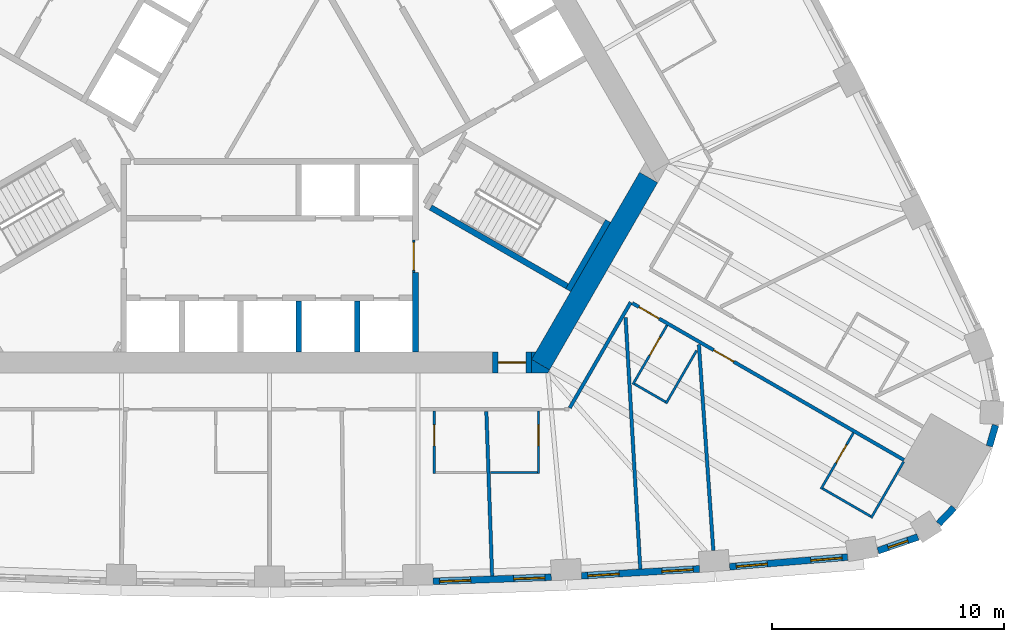
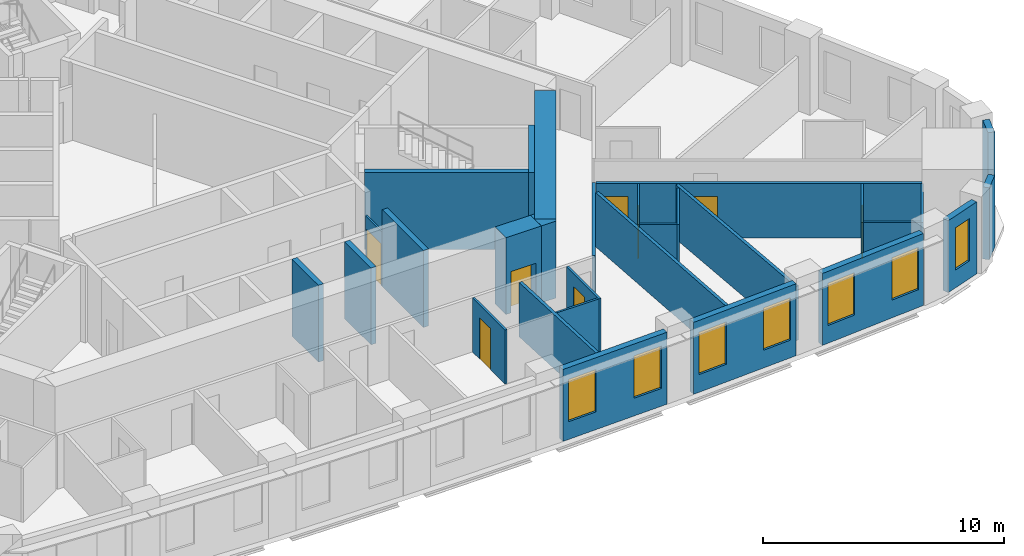
# One storey, part 7 of 13: 30 walls, 8 doors, 7 windows, 15 openings.
"""IFC4 building model written with IfcOpenShell, lengths in metres."""

from ifc_helpers import new_model, si_unit, direction, frame, frame_2d, origin, place, context, subcontext, project, spatial, polyline, rectangle, outline, extrude, material, layer, layer_set, type_object, element, fill, save


model = new_model("IFC4")

# Units and contexts
model_context = context("Model", 3, precision=1e-05, world=origin(), true_north=direction((0.0, 1.0)))
body_context = subcontext(model_context, "Body", "Model", "MODEL_VIEW")
ifc_project = project(units=[si_unit("LENGTHUNIT", "METRE"), si_unit("AREAUNIT", "SQUARE_METRE"), si_unit("VOLUMEUNIT", "CUBIC_METRE"), si_unit("PLANEANGLEUNIT", "RADIAN"), si_unit("MASSUNIT", "GRAM", prefix="KILO")], contexts=[model_context])

# Site, building, storey
site_placement = place(None, origin())
site = spatial("IfcSite", under=ifc_project, at=site_placement, CompositionType="ELEMENT")
building_placement = place(site_placement, origin())
building = spatial("IfcBuilding", under=site, at=building_placement, Name="Mestral Congress Tower", CompositionType="ELEMENT")
storey_placement = place(building_placement, frame((0.0, 0.0, 87.60009765625)))
storey = spatial("IfcBuildingStorey", under=building, at=storey_placement, Name="L20", CompositionType="ELEMENT", Elevation=87.60009765625)

# Wall, opening, door
ifc_material_1 = material(Name="Fire-rated board partition")
ifc_layer_1 = layer(ifc_material_1, 0.090087890625)
ifc_layer_set_1 = layer_set([ifc_layer_1], Name="Fire-rated board partition")
wall_type_1 = type_object("IfcWallType", Name="Core partition 150 door-wall 90", PredefinedType="PARTITIONING", material=ifc_layer_set_1)
wall_1_placement = place(storey_placement, frame((6.219970703125, -7.266357421875, 0.0), z_axis=(0.0, 0.0, 1.0), x_axis=(0.0, -1.0, 0.0)))
wall_1 = element("IfcWall", 1, at=wall_1_placement, inside=storey, type_object=wall_type_1, Name="L20 door wall", PredefinedType="PARTITIONING", context=body_context, shape_type="SweptSolid", body=[
    extrude(rectangle(XDim=1.400146484375, YDim=0.090087890625, at=frame_2d((0.7001953125, 0.0))), origin(), (0.0, 0.0, 1.0), 2.75),
])
opening_1_placement = place(wall_1_placement, frame((0.10009765625, 0.0, 0.0)))
opening_1 = element("IfcOpeningElement", 2, at=opening_1_placement, cuts=wall_1, Name="Opening LB0-WL1", PredefinedType="OPENING", context=body_context, shape_type="SweptSolid", body=[
    extrude(rectangle(XDim=1.199951171875, YDim=2.10009765625, at=frame_2d((0.60009765625, 1.050048828125))), frame((0.0, 0.054931640625, 0.0), z_axis=(0.0, -1.0, 0.0), x_axis=(1.0, 0.0, 0.0)), (0.0, 0.0, 1.0), 0.110107421875),
])
ifc_material_2 = material(Name="Fire-rated steel door set", Category="steel")
door_type_1 = type_object("IfcDoorType", Name="Core door LB 1200x2100", OperationType="SINGLE_SWING_LEFT", PredefinedType="DOOR", material=ifc_material_2)
door_1_placement = place(opening_1_placement, origin())
door_1 = element("IfcDoor", 3, at=door_1_placement, inside=storey, type_object=door_type_1, Name="Door LB0-WL1", OperationType="SINGLE_SWING_LEFT", OverallHeight=2.10009765625, OverallWidth=1.199951171875, PredefinedType="DOOR", context=body_context, shape_type="SweptSolid", body=[
    extrude(rectangle(XDim=1.199951171875, YDim=2.10009765625, at=frame_2d((0.60009765625, 1.050048828125))), frame((0.0, 0.02490234375, 0.0), z_axis=(0.0, -1.0, 0.0), x_axis=(1.0, 0.0, 0.0)), (0.0, 0.0, 1.0), 0.050048828125),
])
fill(opening_1, door_1)

# Walls
ifc_material_3 = material(Name="Concrete C60/75", Category="concrete")
ifc_layer_2 = layer(ifc_material_3, 0.89990234375)
ifc_layer_set_2 = layer_set([ifc_layer_2], Name="Concrete C60/75")
wall_type_2 = type_object("IfcWallType", Name="Core wall RC 900", PredefinedType="SOLIDWALL", material=ifc_layer_set_2)
wall_2_placement = place(storey_placement, frame((11.69482421875, -12.643798828125, 0.0), z_axis=(0.0, 0.0, 1.0), x_axis=(0.500010229568, 0.86601949766, 0.0)))
element("IfcWall", 4, at=wall_2_placement, inside=storey, type_object=wall_type_2, Name="L20 core wall", PredefinedType="SOLIDWALL", context=body_context, shape_type="SweptSolid", body=[
    extrude(rectangle(XDim=9.326416015625, YDim=0.89990234375, at=frame_2d((4.6630859375, 0.0))), origin(), (0.0, 0.0, 1.0), 3.89990234375),
])
placement = place(storey_placement, origin())
element("IfcWall", 5, at=placement, inside=storey, type_object=wall_type_2, Name="L20 core wall", PredefinedType="SOLIDWALL", context=body_context, shape_type="SweptSolid", body=[
    extrude(outline(polyline([(12.0087890625, -13.0), (11.31201171875, -13.0), (11.31201171875, -12.425048828125), (12.08349609375, -12.87060546875), (12.0087890625, -13.0)])), origin(), (0.0, 0.0, 1.0), 3.89990234375),
])
element("IfcWall", 6, at=placement, inside=storey, type_object=wall_type_2, Name="L20 core wall", PredefinedType="SOLIDWALL", context=body_context, shape_type="SweptSolid", body=[
    extrude(outline(polyline([(11.4892578125, -12.10009765625), (11.31201171875, -12.4072265625), (11.31201171875, -12.10009765625), (11.4892578125, -12.10009765625)])), origin(), (0.0, 0.0, 1.0), 3.89990234375),
])

# Wall, opening, door
wall_5_placement = place(storey_placement, frame((11.311767578125, -12.550048828125, 0.0), z_axis=(0.0, 0.0, 1.0), x_axis=(-1.0, 0.0, 0.0)))
wall_5 = element("IfcWall", 7, at=wall_5_placement, inside=storey, type_object=wall_type_2, Name="L20 door wall", PredefinedType="SOLIDWALL", context=body_context, shape_type="SweptSolid", body=[
    extrude(rectangle(XDim=1.699951171875, YDim=0.89990234375, at=frame_2d((0.85009765625, 0.0))), origin(), (0.0, 0.0, 1.0), 3.89990234375),
])
opening_2_placement = place(wall_5_placement, frame((0.25, 0.0, 0.0)))
opening_2 = element("IfcOpeningElement", 8, at=opening_2_placement, cuts=wall_5, Name="Opening XD1", PredefinedType="OPENING", context=body_context, shape_type="SweptSolid", body=[
    extrude(rectangle(XDim=1.199951171875, YDim=2.10009765625, at=frame_2d((0.60009765625, 1.050048828125))), frame((0.0, 0.4599609375, 0.0), z_axis=(0.0, -1.0, 0.0), x_axis=(1.0, 0.0, 0.0)), (0.0, 0.0, 1.0), 0.919921875),
])
door_type_2 = type_object("IfcDoorType", Name="Core door XD 1200x2100", OperationType="SINGLE_SWING_LEFT", PredefinedType="DOOR", material=ifc_material_2)
door_2_placement = place(opening_2_placement, origin())
door_2 = element("IfcDoor", 9, at=door_2_placement, inside=storey, type_object=door_type_2, Name="Door XD1", OperationType="SINGLE_SWING_LEFT", OverallHeight=2.10009765625, OverallWidth=1.199951171875, PredefinedType="DOOR", context=body_context, shape_type="SweptSolid", body=[
    extrude(rectangle(XDim=1.199951171875, YDim=2.10009765625, at=frame_2d((0.60009765625, 1.050048828125))), frame((0.0, 0.02490234375, 0.0), z_axis=(0.0, -1.0, 0.0), x_axis=(1.0, 0.0, 0.0)), (0.0, 0.0, 1.0), 0.050048828125),
])
fill(opening_2, door_2)

# Wall, openings, windows
ifc_material_4 = material(Name="Precast concrete C40/50 with limestone facing", Category="masonry")
ifc_layer_3 = layer(ifc_material_4, 0.2900390625)
ifc_layer_set_3 = layer_set([ifc_layer_3], Name="Precast concrete C40/50 with limestone facing")
wall_type_3 = type_object("IfcWallType", Name="Facade stone wall 290", PredefinedType="SOLIDWALL", material=ifc_layer_set_3)
wall_6_placement = place(storey_placement, frame((7.059326171875, -22.000732421875, 0.0), z_axis=(0.0, 0.0, 1.0), x_axis=(0.999385993957, 0.035037623812, 0.0)))
wall_6 = element("IfcWall", 10, at=wall_6_placement, inside=storey, type_object=wall_type_3, Name="Facade wall F0-05", PredefinedType="SOLIDWALL", context=body_context, shape_type="SweptSolid", body=[
    extrude(rectangle(XDim=5.1005859375, YDim=0.2900390625, at=frame_2d((2.55029296875, 0.0))), origin(), (0.0, 0.0, 1.0), 3.64990234375),
])
opening_3_placement = place(wall_6_placement, frame((0.272705078125, 0.0, 0.89990234375)))
opening_3 = element("IfcOpeningElement", 11, at=opening_3_placement, cuts=wall_6, Name="Opening W2", PredefinedType="OPENING", context=body_context, shape_type="SweptSolid", body=[
    extrude(rectangle(XDim=1.35009765625, YDim=2.14990234375, at=frame_2d((0.675048828125, 1.074951171875))), frame((0.0, 0.155029296875, 0.0), z_axis=(0.0, -1.0, 0.0), x_axis=(1.0, 0.0, 0.0)), (0.0, 0.0, 1.0), 0.31005859375),
])
opening_4_placement = place(wall_6_placement, frame((3.477783203125, 0.0, 0.89990234375)))
opening_4 = element("IfcOpeningElement", 12, at=opening_4_placement, cuts=wall_6, Name="Opening W2", PredefinedType="OPENING", context=body_context, shape_type="SweptSolid", body=[
    extrude(rectangle(XDim=1.35009765625, YDim=2.14990234375, at=frame_2d((0.675048828125, 1.074951171875))), frame((0.0, 0.155029296875, 0.0), z_axis=(0.0, -1.0, 0.0), x_axis=(1.0, 0.0, 0.0)), (0.0, 0.0, 1.0), 0.31005859375),
])
ifc_material_5 = material(Name="Clear low-emissivity double glazing", Category="glass")
window_type_1 = type_object("IfcWindowType", Name="Facade punched window 1350 x 2150 sill 900", PartitioningType="DOUBLE_PANEL_VERTICAL", PredefinedType="WINDOW", material=ifc_material_5)
window_1_placement = place(opening_3_placement, origin())
window_1 = element("IfcWindow", 13, at=window_1_placement, inside=storey, type_object=window_type_1, Name="Window F0-05a", OverallHeight=2.14990234375, OverallWidth=1.35009765625, PartitioningType="DOUBLE_PANEL_VERTICAL", PredefinedType="WINDOW", context=body_context, shape_type="SweptSolid", body=[
    extrude(rectangle(XDim=1.35009765625, YDim=2.14990234375, at=frame_2d((0.675048828125, 1.074951171875))), frame((0.0, 0.01513671875, 0.0), z_axis=(0.0, -1.0, 0.0), x_axis=(1.0, 0.0, 0.0)), (0.0, 0.0, 1.0), 0.06005859375),
])
fill(opening_3, window_1)
window_2_placement = place(opening_4_placement, origin())
window_2 = element("IfcWindow", 14, at=window_2_placement, inside=storey, type_object=window_type_1, Name="Window F0-05b", OverallHeight=2.14990234375, OverallWidth=1.35009765625, PartitioningType="DOUBLE_PANEL_VERTICAL", PredefinedType="WINDOW", context=body_context, shape_type="SweptSolid", body=[
    extrude(rectangle(XDim=1.35009765625, YDim=2.14990234375, at=frame_2d((0.675048828125, 1.074951171875))), frame((0.0, 0.01513671875, 0.0), z_axis=(0.0, -1.0, 0.0), x_axis=(1.0, 0.0, 0.0)), (0.0, 0.0, 1.0), 0.06005859375),
])
fill(opening_4, window_2)

wall_7_placement = place(storey_placement, frame((13.4619140625, -21.760986328125, 0.0), z_axis=(0.0, 0.0, 1.0), x_axis=(0.998290511436, 0.058447025388, 0.0)))
wall_7 = element("IfcWall", 15, at=wall_7_placement, inside=storey, type_object=wall_type_3, Name="Facade wall F0-06", PredefinedType="SOLIDWALL", context=body_context, shape_type="SweptSolid", body=[
    extrude(rectangle(XDim=5.100341796875, YDim=0.2900390625, at=frame_2d((2.55029296875, 0.0))), origin(), (0.0, 0.0, 1.0), 3.64990234375),
])
opening_5_placement = place(wall_7_placement, frame((0.2724609375, 0.0, 0.89990234375)))
opening_5 = element("IfcOpeningElement", 16, at=opening_5_placement, cuts=wall_7, Name="Opening W2", PredefinedType="OPENING", context=body_context, shape_type="SweptSolid", body=[
    extrude(rectangle(XDim=1.35009765625, YDim=2.14990234375, at=frame_2d((0.675048828125, 1.074951171875))), frame((0.0, 0.155029296875, 0.0), z_axis=(0.0, -1.0, 0.0), x_axis=(1.0, 0.0, 0.0)), (0.0, 0.0, 1.0), 0.31005859375),
])
opening_6_placement = place(wall_7_placement, frame((3.477783203125, 0.0, 0.89990234375)))
opening_6 = element("IfcOpeningElement", 17, at=opening_6_placement, cuts=wall_7, Name="Opening W2", PredefinedType="OPENING", context=body_context, shape_type="SweptSolid", body=[
    extrude(rectangle(XDim=1.35009765625, YDim=2.14990234375, at=frame_2d((0.675048828125, 1.074951171875))), frame((0.0, 0.155029296875, 0.0), z_axis=(0.0, -1.0, 0.0), x_axis=(1.0, 0.0, 0.0)), (0.0, 0.0, 1.0), 0.31005859375),
])
window_3_placement = place(opening_5_placement, origin())
window_3 = element("IfcWindow", 18, at=window_3_placement, inside=storey, type_object=window_type_1, Name="Window F0-06a", OverallHeight=2.14990234375, OverallWidth=1.35009765625, PartitioningType="DOUBLE_PANEL_VERTICAL", PredefinedType="WINDOW", context=body_context, shape_type="SweptSolid", body=[
    extrude(rectangle(XDim=1.35009765625, YDim=2.14990234375, at=frame_2d((0.675048828125, 1.074951171875))), frame((0.0, 0.01513671875, 0.0), z_axis=(0.0, -1.0, 0.0), x_axis=(1.0, 0.0, 0.0)), (0.0, 0.0, 1.0), 0.06005859375),
])
fill(opening_5, window_3)
window_4_placement = place(opening_6_placement, origin())
window_4 = element("IfcWindow", 19, at=window_4_placement, inside=storey, type_object=window_type_1, Name="Window F0-06b", OverallHeight=2.14990234375, OverallWidth=1.35009765625, PartitioningType="DOUBLE_PANEL_VERTICAL", PredefinedType="WINDOW", context=body_context, shape_type="SweptSolid", body=[
    extrude(rectangle(XDim=1.35009765625, YDim=2.14990234375, at=frame_2d((0.675048828125, 1.074951171875))), frame((0.0, 0.01513671875, 0.0), z_axis=(0.0, -1.0, 0.0), x_axis=(1.0, 0.0, 0.0)), (0.0, 0.0, 1.0), 0.06005859375),
])
fill(opening_6, window_4)

wall_8_placement = place(storey_placement, frame((19.856689453125, -21.37109375, 0.0), z_axis=(0.0, 0.0, 1.0), x_axis=(0.99665273362, 0.081751627308, 0.0)))
wall_8 = element("IfcWall", 20, at=wall_8_placement, inside=storey, type_object=wall_type_3, Name="Facade wall F0-07", PredefinedType="SOLIDWALL", context=body_context, shape_type="SweptSolid", body=[
    extrude(rectangle(XDim=5.106689453125, YDim=0.2900390625, at=frame_2d((2.55322265625, 0.0))), origin(), (0.0, 0.0, 1.0), 3.64990234375),
])
opening_7_placement = place(wall_8_placement, frame((0.285400390625, 0.0, 0.89990234375)))
opening_7 = element("IfcOpeningElement", 21, at=opening_7_placement, cuts=wall_8, Name="Opening W2", PredefinedType="OPENING", context=body_context, shape_type="SweptSolid", body=[
    extrude(rectangle(XDim=1.35009765625, YDim=2.14990234375, at=frame_2d((0.675048828125, 1.074951171875))), frame((0.0, 0.155029296875, 0.0), z_axis=(0.0, -1.0, 0.0), x_axis=(1.0, 0.0, 0.0)), (0.0, 0.0, 1.0), 0.31005859375),
])
opening_8_placement = place(wall_8_placement, frame((3.51611328125, 0.0, 0.89990234375)))
opening_8 = element("IfcOpeningElement", 22, at=opening_8_placement, cuts=wall_8, Name="Opening W2", PredefinedType="OPENING", context=body_context, shape_type="SweptSolid", body=[
    extrude(rectangle(XDim=1.35009765625, YDim=2.14990234375, at=frame_2d((0.675048828125, 1.074951171875))), frame((0.0, 0.155029296875, 0.0), z_axis=(0.0, -1.0, 0.0), x_axis=(1.0, 0.0, 0.0)), (0.0, 0.0, 1.0), 0.31005859375),
])
window_5_placement = place(opening_7_placement, origin())
window_5 = element("IfcWindow", 23, at=window_5_placement, inside=storey, type_object=window_type_1, Name="Window F0-07a", OverallHeight=2.14990234375, OverallWidth=1.35009765625, PartitioningType="DOUBLE_PANEL_VERTICAL", PredefinedType="WINDOW", context=body_context, shape_type="SweptSolid", body=[
    extrude(rectangle(XDim=1.35009765625, YDim=2.14990234375, at=frame_2d((0.675048828125, 1.074951171875))), frame((0.0, 0.01513671875, 0.0), z_axis=(0.0, -1.0, 0.0), x_axis=(1.0, 0.0, 0.0)), (0.0, 0.0, 1.0), 0.06005859375),
])
fill(opening_7, window_5)
window_6_placement = place(opening_8_placement, origin())
window_6 = element("IfcWindow", 24, at=window_6_placement, inside=storey, type_object=window_type_1, Name="Window F0-07b", OverallHeight=2.14990234375, OverallWidth=1.35009765625, PartitioningType="DOUBLE_PANEL_VERTICAL", PredefinedType="WINDOW", context=body_context, shape_type="SweptSolid", body=[
    extrude(rectangle(XDim=1.35009765625, YDim=2.14990234375, at=frame_2d((0.675048828125, 1.074951171875))), frame((0.0, 0.01513671875, 0.0), z_axis=(0.0, -1.0, 0.0), x_axis=(1.0, 0.0, 0.0)), (0.0, 0.0, 1.0), 0.06005859375),
])
fill(opening_8, window_6)

# Wall, opening, window
wall_9_placement = place(storey_placement, frame((26.260986328125, -20.67919921875, 0.0), z_axis=(0.0, 0.0, 1.0), x_axis=(0.945385815453, 0.325953462844, 0.0)))
wall_9 = element("IfcWall", 25, at=wall_9_placement, inside=storey, type_object=wall_type_3, Name="Facade wall K0-0", PredefinedType="SOLIDWALL", context=body_context, shape_type="SweptSolid", body=[
    extrude(rectangle(XDim=1.8193359375, YDim=0.2900390625, at=frame_2d((0.90966796875, 0.0))), origin(), (0.0, 0.0, 1.0), 3.64990234375),
])
opening_9_placement = place(wall_9_placement, frame((0.459716796875, 0.0, 0.89990234375)))
opening_9 = element("IfcOpeningElement", 26, at=opening_9_placement, cuts=wall_9, Name="Opening W3", PredefinedType="OPENING", context=body_context, shape_type="SweptSolid", body=[
    extrude(rectangle(XDim=0.89990234375, YDim=2.14990234375, at=frame_2d((0.449951171875, 1.074951171875))), frame((0.0, 0.155029296875, 0.0), z_axis=(0.0, -1.0, 0.0), x_axis=(1.0, 0.0, 0.0)), (0.0, 0.0, 1.0), 0.31005859375),
])
window_type_2 = type_object("IfcWindowType", Name="Facade punched window 900 x 2150 sill 900", PartitioningType="SINGLE_PANEL", PredefinedType="WINDOW", material=ifc_material_5)
window_7_placement = place(opening_9_placement, origin())
window_7 = element("IfcWindow", 27, at=window_7_placement, inside=storey, type_object=window_type_2, Name="Window K0-0", OverallHeight=2.14990234375, OverallWidth=0.89990234375, PartitioningType="SINGLE_PANEL", PredefinedType="WINDOW", context=body_context, shape_type="SweptSolid", body=[
    extrude(rectangle(XDim=0.89990234375, YDim=2.14990234375, at=frame_2d((0.449951171875, 1.074951171875))), frame((0.0, 0.01513671875, 0.0), z_axis=(0.0, -1.0, 0.0), x_axis=(1.0, 0.0, 0.0)), (0.0, 0.0, 1.0), 0.06005859375),
])
fill(opening_9, window_7)

# Walls
wall_10_placement = place(storey_placement, frame((28.88037109375, -19.50927734375, 0.0), z_axis=(0.0, 0.0, 1.0), x_axis=(0.690414427296, 0.723414071319, 0.0)))
element("IfcWall", 28, at=wall_10_placement, inside=storey, type_object=wall_type_3, Name="Facade wall K0-1", PredefinedType="SOLIDWALL", context=body_context, shape_type="SweptSolid", body=[
    extrude(rectangle(XDim=0.947021484375, YDim=0.2900390625, at=frame_2d((0.4736328125, 0.0))), origin(), (0.0, 0.0, 1.0), 3.64990234375),
])
wall_11_placement = place(storey_placement, frame((31.069091796875, -16.165283203125, 0.0), z_axis=(0.0, 0.0, 1.0), x_axis=(0.281454582132, 0.95957455062, 0.0)))
element("IfcWall", 29, at=wall_11_placement, inside=storey, type_object=wall_type_3, Name="Facade wall K0-2", PredefinedType="SOLIDWALL", context=body_context, shape_type="SweptSolid", body=[
    extrude(rectangle(XDim=0.947265625, YDim=0.2900390625, at=frame_2d((0.4736328125, 0.0))), origin(), (0.0, 0.0, 1.0), 3.64990234375),
])

# Wall, opening, door
ifc_material_6 = material(Name="Gypsum board partition on metal studs with mineral wool", Category="composite")
ifc_layer_4 = layer(ifc_material_6, 0.10009765625)
ifc_layer_set_4 = layer_set([ifc_layer_4], Name="Gypsum board partition on metal studs with mineral wool")
wall_type_4 = type_object("IfcWallType", Name="Hotel partition wall 100", PredefinedType="PARTITIONING", material=ifc_layer_set_4)
wall_12_placement = place(storey_placement, frame((7.100341796875, -14.64990234375, 0.0), z_axis=(0.0, 0.0, 1.0), x_axis=(0.0, -1.0, 0.0)))
wall_12 = element("IfcWall", 30, at=wall_12_placement, inside=storey, type_object=wall_type_4, Name="L20-h-pod06a", PredefinedType="PARTITIONING", context=body_context, shape_type="SweptSolid", body=[
    extrude(rectangle(XDim=2.7001953125, YDim=0.10009765625, at=frame_2d((1.35009765625, 0.0))), origin(), (0.0, 0.0, 1.0), 2.75),
])
opening_10_placement = place(wall_12_placement, frame((0.60009765625, 0.0, 0.0)))
opening_10 = element("IfcOpeningElement", 31, at=opening_10_placement, cuts=wall_12, Name="Opening H06-011", PredefinedType="OPENING", context=body_context, shape_type="SweptSolid", body=[
    extrude(rectangle(XDim=0.89990234375, YDim=2.10009765625, at=frame_2d((0.449951171875, 1.050048828125))), frame((0.0, 0.06005859375, 0.0), z_axis=(0.0, -1.0, 0.0), x_axis=(1.0, 0.0, 0.0)), (0.0, 0.0, 1.0), 0.1201171875),
])
ifc_material_7 = material(Name="Timber veneer door leaf in timber frame", Category="wood")
door_type_3 = type_object("IfcDoorType", Name="Bathroom door 900", OperationType="SINGLE_SWING_LEFT", PredefinedType="DOOR", material=ifc_material_7)
door_3_placement = place(opening_10_placement, origin())
door_3 = element("IfcDoor", 32, at=door_3_placement, inside=storey, type_object=door_type_3, Name="L20-h-d011", OperationType="SINGLE_SWING_RIGHT", OverallHeight=2.10009765625, OverallWidth=0.89990234375, PredefinedType="DOOR", context=body_context, shape_type="SweptSolid", body=[
    extrude(rectangle(XDim=0.89990234375, YDim=2.10009765625, at=frame_2d((0.449951171875, 1.050048828125))), frame((0.0, 0.02490234375, 0.0), z_axis=(0.0, -1.0, 0.0), x_axis=(1.0, 0.0, 0.0)), (0.0, 0.0, 1.0), 0.050048828125),
])
fill(opening_10, door_3)

wall_13_placement = place(storey_placement, frame((11.606689453125, -17.35009765625, 0.0), z_axis=(0.0, 0.0, 1.0), x_axis=(0.0, 1.0, 0.0)))
wall_13 = element("IfcWall", 33, at=wall_13_placement, inside=storey, type_object=wall_type_4, Name="L20-h-pod07a", PredefinedType="PARTITIONING", context=body_context, shape_type="SweptSolid", body=[
    extrude(rectangle(XDim=2.7001953125, YDim=0.10009765625, at=frame_2d((1.35009765625, 0.0))), origin(), (0.0, 0.0, 1.0), 2.75),
])
opening_11_placement = place(wall_13_placement, frame((1.199951171875, 0.0, 0.0)))
opening_11 = element("IfcOpeningElement", 34, at=opening_11_placement, cuts=wall_13, Name="Opening H06-013", PredefinedType="OPENING", context=body_context, shape_type="SweptSolid", body=[
    extrude(rectangle(XDim=0.89990234375, YDim=2.10009765625, at=frame_2d((0.449951171875, 1.050048828125))), frame((0.0, 0.06005859375, 0.0), z_axis=(0.0, -1.0, 0.0), x_axis=(1.0, 0.0, 0.0)), (0.0, 0.0, 1.0), 0.1201171875),
])
door_4_placement = place(opening_11_placement, origin())
door_4 = element("IfcDoor", 35, at=door_4_placement, inside=storey, type_object=door_type_3, Name="L20-h-d013", OperationType="SINGLE_SWING_LEFT", OverallHeight=2.10009765625, OverallWidth=0.89990234375, PredefinedType="DOOR", context=body_context, shape_type="SweptSolid", body=[
    extrude(rectangle(XDim=0.89990234375, YDim=2.10009765625, at=frame_2d((0.449951171875, 1.050048828125))), frame((0.0, 0.02490234375, 0.0), z_axis=(0.0, -1.0, 0.0), x_axis=(1.0, 0.0, 0.0)), (0.0, 0.0, 1.0), 0.050048828125),
])
fill(opening_11, door_4)

# Wall
wall_14_placement = place(storey_placement, frame((11.556640625, -17.300048828125, 0.0), z_axis=(0.0, 0.0, 1.0), x_axis=(-1.0, 0.0, 0.0)))
element("IfcWall", 36, at=wall_14_placement, inside=storey, type_object=wall_type_4, Name="L20-h-pod07b", PredefinedType="PARTITIONING", context=body_context, shape_type="SweptSolid", body=[
    extrude(rectangle(XDim=2.030029296875, YDim=0.10009765625, at=frame_2d((1.01513671875, 0.0))), origin(), (0.0, 0.0, 1.0), 2.75),
])

# Wall, opening, door
wall_15_placement = place(storey_placement, frame((17.155029296875, -10.943603515625, 0.0), z_axis=(0.0, 0.0, 1.0), x_axis=(-0.499939757307, -0.866060182126, 0.0)))
wall_15 = element("IfcWall", 37, at=wall_15_placement, inside=storey, type_object=wall_type_4, Name="L20-h-pod08a", PredefinedType="PARTITIONING", context=body_context, shape_type="SweptSolid", body=[
    extrude(rectangle(XDim=2.949951171875, YDim=0.10009765625, at=frame_2d((1.47509765625, 0.0))), origin(), (0.0, 0.0, 1.0), 2.75),
])
opening_12_placement = place(wall_15_placement, frame((0.60009765625, 0.0, 0.0)))
opening_12 = element("IfcOpeningElement", 38, at=opening_12_placement, cuts=wall_15, Name="Opening H06-015", PredefinedType="OPENING", context=body_context, shape_type="SweptSolid", body=[
    extrude(rectangle(XDim=0.89990234375, YDim=2.10009765625, at=frame_2d((0.449951171875, 1.050048828125))), frame((0.0, 0.06005859375, 0.0), z_axis=(0.0, -1.0, 0.0), x_axis=(1.0, 0.0, 0.0)), (0.0, 0.0, 1.0), 0.1201171875),
])
door_5_placement = place(opening_12_placement, origin())
door_5 = element("IfcDoor", 39, at=door_5_placement, inside=storey, type_object=door_type_3, Name="L20-h-d015", OperationType="SINGLE_SWING_LEFT", OverallHeight=2.10009765625, OverallWidth=0.89990234375, PredefinedType="DOOR", context=body_context, shape_type="SweptSolid", body=[
    extrude(rectangle(XDim=0.89990234375, YDim=2.10009765625, at=frame_2d((0.449951171875, 1.050048828125))), frame((0.0, 0.02490234375, 0.0), z_axis=(0.0, -1.0, 0.0), x_axis=(1.0, 0.0, 0.0)), (0.0, 0.0, 1.0), 0.050048828125),
])
fill(opening_12, door_5)

# Walls
wall_16_placement = place(storey_placement, frame((15.748291015625, -13.480224609375, 0.0), z_axis=(0.0, 0.0, 1.0), x_axis=(0.866083307622, -0.499899694197, 0.0)))
element("IfcWall", 40, at=wall_16_placement, inside=storey, type_object=wall_type_4, Name="L20-h-pod08b", PredefinedType="PARTITIONING", context=body_context, shape_type="SweptSolid", body=[
    extrude(rectangle(XDim=1.550048828125, YDim=0.10009765625, at=frame_2d((0.77490234375, 0.0))), origin(), (0.0, 0.0, 1.0), 2.75),
])
wall_17_placement = place(storey_placement, frame((18.428955078125, -12.037109375, 0.0), z_axis=(0.0, 0.0, 1.0), x_axis=(-0.500007957085, -0.86602080971, 0.0)))
element("IfcWall", 41, at=wall_17_placement, inside=storey, type_object=wall_type_4, Name="L20-h-pod08c", PredefinedType="PARTITIONING", context=body_context, shape_type="SweptSolid", body=[
    extrude(rectangle(XDim=2.64013671875, YDim=0.10009765625, at=frame_2d((1.320068359375, 0.0))), origin(), (0.0, 0.0, 1.0), 2.75),
])

# Wall, opening, door
wall_18_placement = place(storey_placement, frame((25.200439453125, -15.588623046875, 0.0), z_axis=(0.0, 0.0, 1.0), x_axis=(-0.500011755427, -0.866018616679, 0.0)))
wall_18 = element("IfcWall", 42, at=wall_18_placement, inside=storey, type_object=wall_type_4, Name="L20-h-pod09a", PredefinedType="PARTITIONING", context=body_context, shape_type="SweptSolid", body=[
    extrude(rectangle(XDim=2.80029296875, YDim=0.10009765625, at=frame_2d((1.400146484375, 0.0))), origin(), (0.0, 0.0, 1.0), 2.75),
])
opening_13_placement = place(wall_18_placement, frame((0.60009765625, 0.0, 0.0)))
opening_13 = element("IfcOpeningElement", 43, at=opening_13_placement, cuts=wall_18, Name="Opening H06-017", PredefinedType="OPENING", context=body_context, shape_type="SweptSolid", body=[
    extrude(rectangle(XDim=0.89990234375, YDim=2.10009765625, at=frame_2d((0.449951171875, 1.050048828125))), frame((0.0, 0.06005859375, 0.0), z_axis=(0.0, -1.0, 0.0), x_axis=(1.0, 0.0, 0.0)), (0.0, 0.0, 1.0), 0.1201171875),
])
door_6_placement = place(opening_13_placement, origin())
door_6 = element("IfcDoor", 44, at=door_6_placement, inside=storey, type_object=door_type_3, Name="L20-h-d017", OperationType="SINGLE_SWING_RIGHT", OverallHeight=2.10009765625, OverallWidth=0.89990234375, PredefinedType="DOOR", context=body_context, shape_type="SweptSolid", body=[
    extrude(rectangle(XDim=0.89990234375, YDim=2.10009765625, at=frame_2d((0.449951171875, 1.050048828125))), frame((0.0, 0.02490234375, 0.0), z_axis=(0.0, -1.0, 0.0), x_axis=(1.0, 0.0, 0.0)), (0.0, 0.0, 1.0), 0.050048828125),
])
fill(opening_13, door_6)

# Walls
wall_19_placement = place(storey_placement, frame((23.86865234375, -17.995361328125, 0.0), z_axis=(0.0, 0.0, 1.0), x_axis=(0.866050077142, -0.499957262057, 0.0)))
element("IfcWall", 45, at=wall_19_placement, inside=storey, type_object=wall_type_4, Name="L20-h-pod09b", PredefinedType="PARTITIONING", context=body_context, shape_type="SweptSolid", body=[
    extrude(rectangle(XDim=2.400146484375, YDim=0.10009765625, at=frame_2d((1.2001953125, 0.0))), origin(), (0.0, 0.0, 1.0), 2.75),
])
wall_20_placement = place(storey_placement, frame((27.365478515625, -16.838623046875, 0.0), z_axis=(0.0, 0.0, 1.0), x_axis=(-0.49994636267, -0.866056369097, 0.0)))
element("IfcWall", 46, at=wall_20_placement, inside=storey, type_object=wall_type_4, Name="L20-h-pod09c", PredefinedType="PARTITIONING", context=body_context, shape_type="SweptSolid", body=[
    extrude(rectangle(XDim=2.800048828125, YDim=0.10009765625, at=frame_2d((1.39990234375, 0.0))), origin(), (0.0, 0.0, 1.0), 2.75),
])
ifc_layer_5 = layer(ifc_material_6, 0.14990234375)
ifc_layer_set_5 = layer_set([ifc_layer_5], Name="Gypsum board partition on metal studs with mineral wool")
wall_type_5 = type_object("IfcWallType", Name="Hotel partition wall 150", PredefinedType="PARTITIONING", material=ifc_layer_set_5)
wall_21_placement = place(storey_placement, frame((15.58740234375, -9.951904296875, 0.0), z_axis=(0.0, 0.0, 1.0), x_axis=(-0.500016618951, -0.866015808616, 0.0)))
element("IfcWall", 47, at=wall_21_placement, inside=storey, type_object=wall_type_5, Name="L20-h-cw14", PredefinedType="PARTITIONING", context=body_context, shape_type="SweptSolid", body=[
    extrude(rectangle(XDim=5.268310546875, YDim=0.14990234375, at=frame_2d((2.63427734375, 0.0))), origin(), (0.0, 0.0, 1.0), 2.75),
])

# Wall, openings, doors
wall_22_placement = place(storey_placement, frame((27.3857421875, -16.763916015625, 0.0), z_axis=(0.0, 0.0, 1.0), x_axis=(-0.866022585856, 0.500004880763, 0.0)))
wall_22 = element("IfcWall", 48, at=wall_22_placement, inside=storey, type_object=wall_type_5, Name="L20-h-cw15", PredefinedType="PARTITIONING", context=body_context, shape_type="SweptSolid", body=[
    extrude(rectangle(XDim=13.543701171875, YDim=0.14990234375, at=frame_2d((6.77197265625, 0.0))), origin(), (0.0, 0.0, 1.0), 2.75),
])
opening_14_placement = place(wall_22_placement, frame((12.213623046875, 0.0, 0.0)))
opening_14 = element("IfcOpeningElement", 49, at=opening_14_placement, cuts=wall_22, Name="Opening H06-014", PredefinedType="OPENING", context=body_context, shape_type="SweptSolid", body=[
    extrude(rectangle(XDim=1.0, YDim=2.10009765625, at=frame_2d((0.5, 1.050048828125))), frame((0.0, 0.0849609375, 0.0), z_axis=(0.0, -1.0, 0.0), x_axis=(1.0, 0.0, 0.0)), (0.0, 0.0, 1.0), 0.169921875),
])
opening_15_placement = place(wall_22_placement, frame((8.48974609375, 0.0, 0.0)))
opening_15 = element("IfcOpeningElement", 50, at=opening_15_placement, cuts=wall_22, Name="Opening H06-016", PredefinedType="OPENING", context=body_context, shape_type="SweptSolid", body=[
    extrude(rectangle(XDim=1.0, YDim=2.10009765625, at=frame_2d((0.5, 1.050048828125))), frame((0.0, 0.0849609375, 0.0), z_axis=(0.0, -1.0, 0.0), x_axis=(1.0, 0.0, 0.0)), (0.0, 0.0, 1.0), 0.169921875),
])
ifc_material_8 = material(Name="Timber veneer door leaf in metal frame", Category="wood")
door_type_4 = type_object("IfcDoorType", Name="Guest room entrance door 1000", OperationType="SINGLE_SWING_LEFT", PredefinedType="DOOR", material=ifc_material_8)
door_7_placement = place(opening_14_placement, origin())
door_7 = element("IfcDoor", 51, at=door_7_placement, inside=storey, type_object=door_type_4, Name="L20-h-d014", OperationType="SINGLE_SWING_RIGHT", OverallHeight=2.10009765625, OverallWidth=1.0, PredefinedType="DOOR", context=body_context, shape_type="SweptSolid", body=[
    extrude(rectangle(XDim=1.0, YDim=2.10009765625, at=frame_2d((0.5, 1.050048828125))), frame((0.0, 0.02490234375, 0.0), z_axis=(0.0, -1.0, 0.0), x_axis=(1.0, 0.0, 0.0)), (0.0, 0.0, 1.0), 0.050048828125),
])
fill(opening_14, door_7)
door_8_placement = place(opening_15_placement, origin())
door_8 = element("IfcDoor", 52, at=door_8_placement, inside=storey, type_object=door_type_4, Name="L20-h-d016", OperationType="SINGLE_SWING_RIGHT", OverallHeight=2.10009765625, OverallWidth=1.0, PredefinedType="DOOR", context=body_context, shape_type="SweptSolid", body=[
    extrude(rectangle(XDim=1.0, YDim=2.10009765625, at=frame_2d((0.5, 1.050048828125))), frame((0.0, 0.02490234375, 0.0), z_axis=(0.0, -1.0, 0.0), x_axis=(1.0, 0.0, 0.0)), (0.0, 0.0, 1.0), 0.050048828125),
])
fill(opening_15, door_8)

# Walls
wall_23_placement = place(storey_placement, frame((9.60302734375, -21.7666015625, 0.0), z_axis=(0.0, 0.0, 1.0), x_axis=(-0.035053506859, 0.999385436985, 0.0)))
element("IfcWall", 53, at=wall_23_placement, inside=storey, type_object=wall_type_5, Name="L20-h-pw21", PredefinedType="PARTITIONING", context=body_context, shape_type="SweptSolid", body=[
    extrude(rectangle(XDim=7.111083984375, YDim=0.14990234375, at=frame_2d((3.5556640625, 0.0))), origin(), (0.0, 0.0, 1.0), 2.75),
])
wall_24_placement = place(storey_placement, frame((15.999267578125, -21.467041015625, 0.0), z_axis=(0.0, 0.0, 1.0), x_axis=(-0.058433825336, 0.998291284173, 0.0)))
element("IfcWall", 54, at=wall_24_placement, inside=storey, type_object=wall_type_5, Name="L20-h-pw24", PredefinedType="PARTITIONING", context=body_context, shape_type="SweptSolid", body=[
    extrude(rectangle(XDim=10.87548828125, YDim=0.14990234375, at=frame_2d((5.437744140625, 0.0))), origin(), (0.0, 0.0, 1.0), 2.75),
])
wall_25_placement = place(storey_placement, frame((19.152587890625, -20.67138671875, 0.0), z_axis=(0.0, 0.0, 1.0), x_axis=(-0.070070736723, 0.997542025107, 0.0)))
element("IfcWall", 55, at=wall_25_placement, inside=storey, type_object=wall_type_5, Name="L20-h-pw26", PredefinedType="PARTITIONING", context=body_context, shape_type="SweptSolid", body=[
    extrude(rectangle(XDim=8.9091796875, YDim=0.14990234375, at=frame_2d((4.45458984375, 0.0))), origin(), (0.0, 0.0, 1.0), 2.75),
])
ifc_layer_6 = layer(ifc_material_3, 0.25)
ifc_layer_set_6 = layer_set([ifc_layer_6], Name="Concrete C60/75")
wall_type_6 = type_object("IfcWallType", Name="Shaft wall RC 250", PredefinedType="SOLIDWALL", material=ifc_layer_set_6)
wall_26_placement = place(storey_placement, frame((6.300048828125, -8.669921875, 0.0), z_axis=(0.0, 0.0, 1.0), x_axis=(0.0, -1.0, 0.0)))
element("IfcWall", 56, at=wall_26_placement, inside=storey, type_object=wall_type_6, Name="L20 core wall", PredefinedType="SOLIDWALL", context=body_context, shape_type="SweptSolid", body=[
    extrude(rectangle(XDim=3.43017578125, YDim=0.25, at=frame_2d((1.715087890625, 0.0))), origin(), (0.0, 0.0, 1.0), 3.89990234375),
])
for number, where, z_axis, x_axis, name in (
    (57, (3.780029296875, -12.10009765625, 0.0), (0.0, 0.0, 1.0), (0.0, 1.0, 0.0), "L20 core wall"),
    (58, (1.260009765625, -12.10009765625, 0.0), (0.0, 0.0, 1.0), (0.0, 1.0, 0.0), "L20 core wall"),
):
    element("IfcWall", number, at=place(storey_placement, frame(where, z_axis=z_axis, x_axis=x_axis)), inside=storey, type_object=wall_type_6, Name=name, PredefinedType="SOLIDWALL", context=body_context, shape_type="SweptSolid", body=[
        extrude(rectangle(XDim=2.199951171875, YDim=0.25, at=frame_2d((1.10009765625, 0.0))), origin(), (0.0, 0.0, 1.0), 3.89990234375),
    ])
ifc_layer_7 = layer(ifc_material_3, 0.25)
ifc_layer_set_7 = layer_set([ifc_layer_7], Name="Concrete C60/75")
wall_type_7 = type_object("IfcWallType", Name="Stair wall RC 250", PredefinedType="SOLIDWALL", material=ifc_layer_set_7)
wall_27_placement = place(storey_placement, frame((12.885498046875, -9.431396484375, 0.0), z_axis=(0.0, 0.0, 1.0), x_axis=(0.500020560727, 0.866013532718, 0.0)))
element("IfcWall", 59, at=wall_27_placement, inside=storey, type_object=wall_type_7, Name="L20 core wall", PredefinedType="SOLIDWALL", context=body_context, shape_type="SweptSolid", body=[
    extrude(rectangle(XDim=3.449951171875, YDim=0.25, at=frame_2d((1.72509765625, 0.0))), origin(), (0.0, 0.0, 1.0), 3.89990234375),
])
wall_28_placement = place(storey_placement, frame((12.83984375, -9.2607421875, 0.0), z_axis=(0.0, 0.0, 1.0), x_axis=(-0.866013990052, 0.500019768644, 0.0)))
element("IfcWall", 60, at=wall_28_placement, inside=storey, type_object=wall_type_7, Name="L20 core wall", PredefinedType="SOLIDWALL", context=body_context, shape_type="SweptSolid", body=[
    extrude(rectangle(XDim=6.800048828125, YDim=0.25, at=frame_2d((3.39990234375, 0.0))), origin(), (0.0, 0.0, 1.0), 3.89990234375),
])

save(model, "model.ifc")
